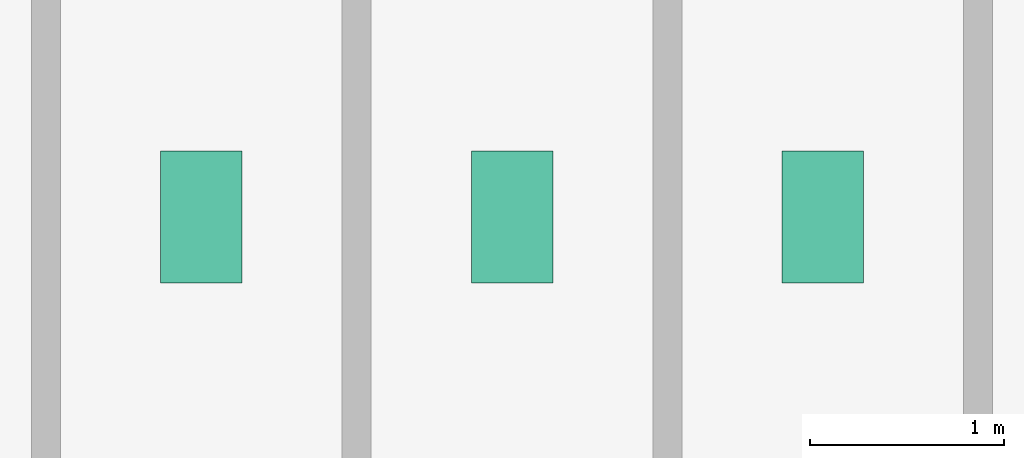
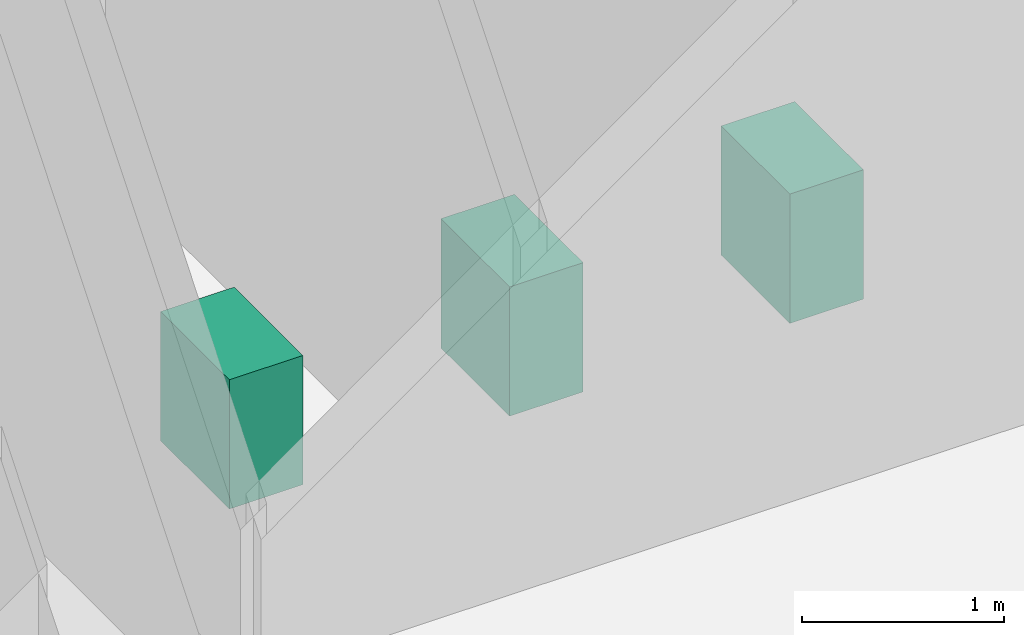
# One storey, part 22 of 22: 3 sanitary terminals.
"""IFC4 building model written with IfcOpenShell, lengths in metres."""

from ifc_helpers import new_model, si_unit, derived_unit, direction, frame, origin, origin_2d, place, context, subcontext, project, spatial, rectangle, extrude, source, transform, mapped, material, type_object, element, save


model = new_model("IFC4")

# Units and contexts
model_context = context("Model", 3, precision=1e-05, world=origin(), true_north=direction((0.0, 1.0)))
body_context = subcontext(model_context, "Body", "Model", "MODEL_VIEW")
ifc_project = project(units=[si_unit("LENGTHUNIT", "METRE"), si_unit("AREAUNIT", "SQUARE_METRE"), si_unit("VOLUMEUNIT", "CUBIC_METRE"), si_unit("PLANEANGLEUNIT", "RADIAN"), si_unit("MASSUNIT", "GRAM", prefix="KILO"), derived_unit("THERMALTRANSMITTANCEUNIT", [(si_unit("POWERUNIT", "WATT"), 1), (si_unit("LENGTHUNIT", "METRE"), -2), (si_unit("THERMODYNAMICTEMPERATUREUNIT", "KELVIN"), -1)])], contexts=[model_context])

# Site, building, storey
site_placement = place(None, origin())
site = spatial("IfcSite", under=ifc_project, at=site_placement, CompositionType="ELEMENT")
building_placement = place(site_placement, origin())
building = spatial("IfcBuilding", under=site, at=building_placement, Name="Skarnbrae Concourse Arena and Tower", CompositionType="ELEMENT")
storey_placement = place(building_placement, frame((0.0, 0.0, 210.5)))
storey = spatial("IfcBuildingStorey", under=building, at=storey_placement, Name="L54", CompositionType="ELEMENT", Elevation=210.5)

# Sanitary terminals
ifc_material = material(Name="Vitreous china sanitaryware", Category="other")
sanitary_terminal_type = type_object("IfcSanitaryTerminalType", Name="SAN-WC-VITREOUS", PredefinedType="TOILETPAN", material=ifc_material)
shared_shape = source(origin(), body_context, "Body", "SweptSolid", [
    extrude(rectangle(XDim=0.419921875, YDim=0.679931640625, at=origin_2d()), origin(), (0.0, 0.0, 1.0), 0.780029296875),
])
for number, where, z_axis, x_axis, name in (
    (1, (35.0, 11.39990234375, 0.0), (0.0, 0.0, 1.0), (1.0, 0.0, 0.0), "L54 Washroom WC fixture 1"),
    (2, (36.60009765625, 11.39990234375, 0.0), (0.0, 0.0, 1.0), (1.0, 0.0, 0.0), "L54 Washroom WC fixture 2"),
    (3, (38.199951171875, 11.39990234375, 0.0), (0.0, 0.0, 1.0), (1.0, 0.0, 0.0), "L54 Washroom WC fixture 3"),
):
    element("IfcSanitaryTerminal", number, at=place(storey_placement, frame(where, z_axis=z_axis, x_axis=x_axis)), inside=storey, type_object=sanitary_terminal_type, Name=name, PredefinedType="TOILETPAN", context=body_context, shape_type="MappedRepresentation", body=[
        mapped(shared_shape, transform((0.0, 0.0, 0.0))),
    ])

save(model, "model.ifc")
